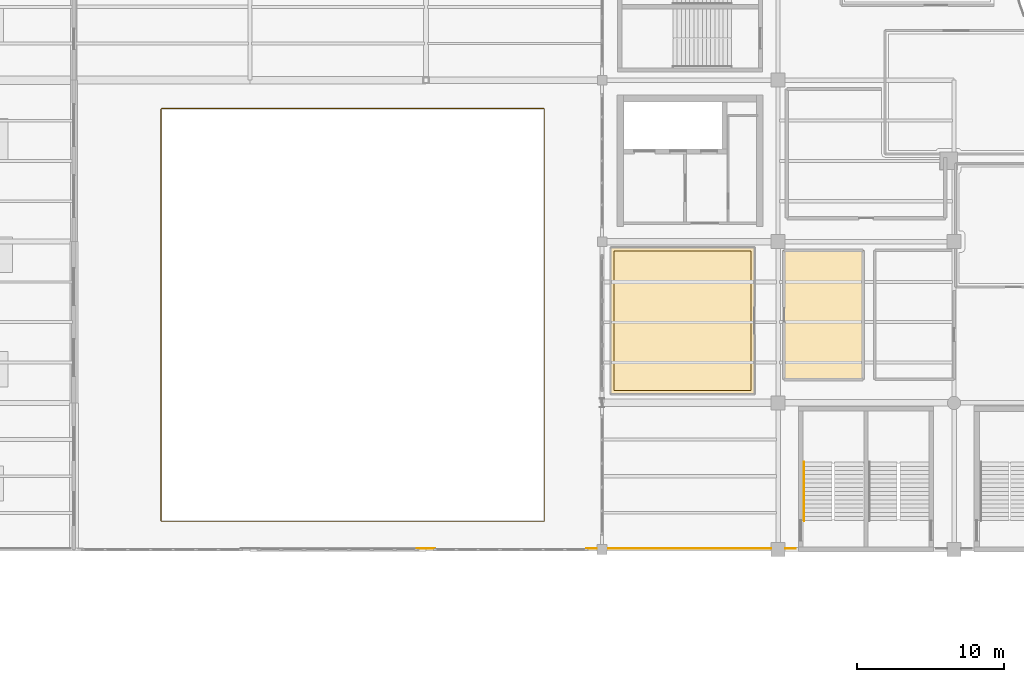
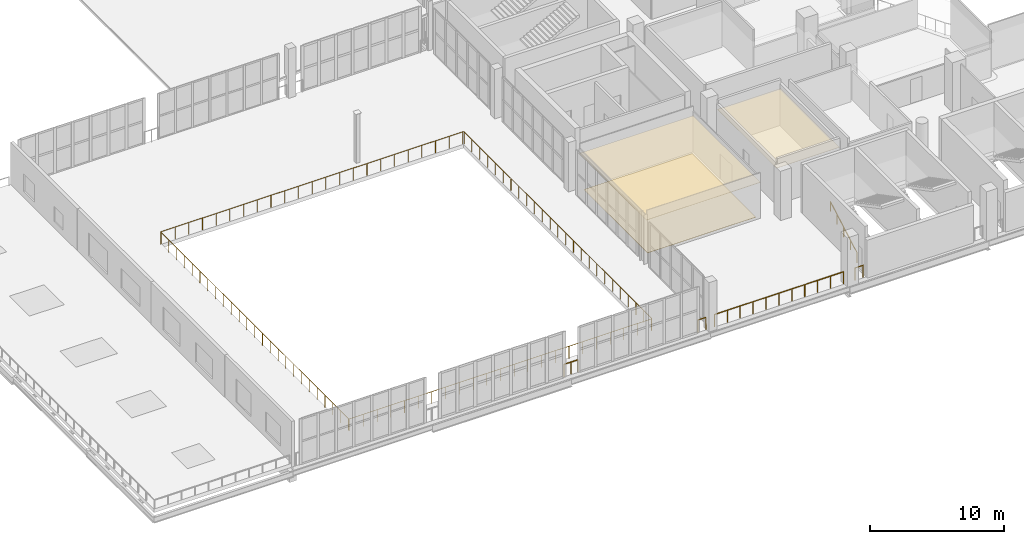
# One storey, part 75 of 90: 6 railings, 3 coverings.
"""IFC4 building model written with IfcOpenShell, lengths in metres."""

from ifc_helpers import new_model, si_unit, direction, frame, origin, origin_2d, place, context, subcontext, project, spatial, polyline, circle, outline, extrude, material, layer, layer_set, type_object, element, save


model = new_model("IFC4")

# Units and contexts
model_context = context("Model", 3, precision=1e-05, world=origin(), true_north=direction((0.0, 1.0)))
body_context = subcontext(model_context, "Body", "Model", "MODEL_VIEW")
ifc_project = project(units=[si_unit("LENGTHUNIT", "METRE"), si_unit("AREAUNIT", "SQUARE_METRE"), si_unit("VOLUMEUNIT", "CUBIC_METRE"), si_unit("PLANEANGLEUNIT", "RADIAN"), si_unit("MASSUNIT", "GRAM", prefix="KILO")], contexts=[model_context])

# Site, building, storey
site_placement = place(None, origin())
site = spatial("IfcSite", under=ifc_project, at=site_placement, CompositionType="ELEMENT")
building_placement = place(site_placement, origin())
building = spatial("IfcBuilding", under=site, at=building_placement, Name="Brinegate Civic Arena", CompositionType="ELEMENT")
storey_placement = place(building_placement, frame((0.0, 0.0, 14.699951171875)))
storey = spatial("IfcBuildingStorey", under=building, at=storey_placement, Name="L03", CompositionType="ELEMENT", Elevation=14.699951171875)

# Coverings
ifc_material_1 = material(Name="Acoustic perforated aluminium ceiling", Category="aluminium")
ifc_layer_1 = layer(ifc_material_1, 0.02490234375, Name="Acoustic perforated aluminium ceiling")
ifc_layer_set_1 = layer_set([ifc_layer_1], Name="Acoustic perforated aluminium ceiling")
covering_type_1 = type_object("IfcCoveringType", Name="CEILING-ACOUSTIC-25", PredefinedType="CEILING", material=ifc_layer_set_1)
covering_1_placement = place(storey_placement, frame((0.0, 0.0, 3.235107421875)))
element("IfcCovering", 1, at=covering_1_placement, inside=storey, type_object=covering_type_1, Name="Acoustic Ceiling L03-002", PredefinedType="CEILING", context=body_context, shape_type="SweptSolid", body=[
    extrude(outline(polyline([(58.404052734375, 30.6201171875), (58.406005859375, 30.618896484375), (58.407958984375, 30.617919921875), (58.408935546875, 30.617919921875), (58.410888671875, 30.616943359375), (58.4130859375, 30.614990234375), (58.4140625, 30.614013671875), (58.4150390625, 30.613037109375), (58.4169921875, 30.611083984375), (58.41796875, 30.60888671875), (58.41796875, 30.60791015625), (58.4189453125, 30.60595703125), (58.419921875, 30.60400390625), (58.419921875, 30.60205078125), (58.419921875, 30.60009765625), (58.419921875, 20.60009765625), (58.419921875, 20.597900390625), (58.419921875, 20.595947265625), (58.4189453125, 20.593994140625), (58.41796875, 20.592041015625), (58.41796875, 20.591064453125), (58.4169921875, 20.589111328125), (58.4150390625, 20.5869140625), (58.4140625, 20.5859375), (58.4130859375, 20.5849609375), (58.410888671875, 20.5830078125), (58.408935546875, 20.58203125), (58.407958984375, 20.58203125), (58.406005859375, 20.5810546875), (58.404052734375, 20.580078125), (58.402099609375, 20.580078125), (58.39990234375, 20.580078125), (48.60009765625, 20.580078125), (48.597900390625, 20.580078125), (48.595947265625, 20.580078125), (48.593994140625, 20.5810546875), (48.592041015625, 20.58203125), (48.591064453125, 20.58203125), (48.589111328125, 20.5830078125), (48.5869140625, 20.5849609375), (48.5859375, 20.5859375), (48.5849609375, 20.5869140625), (48.5830078125, 20.589111328125), (48.58203125, 20.591064453125), (48.58203125, 20.592041015625), (48.5810546875, 20.593994140625), (48.580078125, 20.595947265625), (48.580078125, 20.597900390625), (48.580078125, 20.60009765625), (48.580078125, 30.60009765625), (48.580078125, 30.60205078125), (48.580078125, 30.60400390625), (48.5810546875, 30.60595703125), (48.58203125, 30.60791015625), (48.58203125, 30.60888671875), (48.5830078125, 30.611083984375), (48.5849609375, 30.613037109375), (48.5859375, 30.614013671875), (48.5869140625, 30.614990234375), (48.589111328125, 30.616943359375), (48.591064453125, 30.617919921875), (48.592041015625, 30.617919921875), (48.593994140625, 30.618896484375), (48.595947265625, 30.6201171875), (48.597900390625, 30.6201171875), (48.60009765625, 30.6201171875), (58.39990234375, 30.6201171875), (58.402099609375, 30.6201171875), (58.404052734375, 30.6201171875)])), origin(), (0.0, 0.0, 1.0), 0.02490234375),
])
ifc_layer_2 = layer(ifc_material_1, 0.01806640625, Name="Acoustic perforated aluminium ceiling")
ifc_layer_set_2 = layer_set([ifc_layer_2], Name="Acoustic perforated aluminium ceiling")
covering_type_2 = type_object("IfcCoveringType", Name="CEILING-MOISTURE-18", PredefinedType="CEILING", material=ifc_layer_set_2)
covering_2_placement = place(storey_placement, frame((0.0, 0.0, 3.241943359375)))
element("IfcCovering", 2, at=covering_2_placement, inside=storey, type_object=covering_type_2, Name="Acoustic Ceiling L03-005", PredefinedType="CEILING", context=body_context, shape_type="SweptSolid", body=[
    extrude(outline(polyline([(65.803955078125, 30.419921875), (65.805908203125, 30.4189453125), (65.80810546875, 30.41796875), (65.80908203125, 30.41796875), (65.81103515625, 30.4169921875), (65.81298828125, 30.4150390625), (65.81396484375, 30.4140625), (65.81494140625, 30.4130859375), (65.81689453125, 30.410888671875), (65.818115234375, 30.408935546875), (65.818115234375, 30.407958984375), (65.819091796875, 30.406005859375), (65.820068359375, 30.404052734375), (65.820068359375, 30.402099609375), (65.820068359375, 30.39990234375), (65.820068359375, 21.60009765625), (65.820068359375, 21.597900390625), (65.820068359375, 21.595947265625), (65.819091796875, 21.593994140625), (65.818115234375, 21.592041015625), (65.818115234375, 21.591064453125), (65.81689453125, 21.589111328125), (65.81494140625, 21.5869140625), (65.81396484375, 21.5859375), (65.81298828125, 21.5849609375), (65.81103515625, 21.5830078125), (65.80908203125, 21.58203125), (65.80810546875, 21.58203125), (65.805908203125, 21.5810546875), (65.803955078125, 21.580078125), (65.802001953125, 21.580078125), (65.800048828125, 21.580078125), (60.39990234375, 21.580078125), (60.39794921875, 21.580078125), (60.39599609375, 21.580078125), (60.39404296875, 21.5810546875), (60.39208984375, 21.58203125), (60.39111328125, 21.58203125), (60.388916015625, 21.5830078125), (60.386962890625, 21.5849609375), (60.385986328125, 21.5859375), (60.385009765625, 21.5869140625), (60.383056640625, 21.589111328125), (60.382080078125, 21.591064453125), (60.382080078125, 21.592041015625), (60.381103515625, 21.593994140625), (60.3798828125, 21.595947265625), (60.3798828125, 21.597900390625), (60.3798828125, 21.60009765625), (60.3798828125, 30.39990234375), (60.3798828125, 30.402099609375), (60.3798828125, 30.404052734375), (60.381103515625, 30.406005859375), (60.382080078125, 30.407958984375), (60.382080078125, 30.408935546875), (60.383056640625, 30.410888671875), (60.385009765625, 30.4130859375), (60.385986328125, 30.4140625), (60.386962890625, 30.4150390625), (60.388916015625, 30.4169921875), (60.39111328125, 30.41796875), (60.39208984375, 30.41796875), (60.39404296875, 30.4189453125), (60.39599609375, 30.419921875), (60.39794921875, 30.419921875), (60.39990234375, 30.419921875), (65.800048828125, 30.419921875), (65.802001953125, 30.419921875), (65.803955078125, 30.419921875)])), origin(), (0.0, 0.0, 1.0), 0.01806640625),
])
ifc_material_2 = material(Name="Polished coral terrazzo flooring")
ifc_layer_3 = layer(ifc_material_2, 0.028076171875, Name="Polished coral terrazzo flooring")
ifc_layer_set_3 = layer_set([ifc_layer_3], Name="Polished coral terrazzo flooring")
covering_type_3 = type_object("IfcCoveringType", Name="FLOORING-TERRAZZO-28", PredefinedType="FLOORING", material=ifc_layer_set_3)
covering_3_placement = place(storey_placement, origin())
element("IfcCovering", 3, at=covering_3_placement, inside=storey, type_object=covering_type_3, Name="Flooring L03-002", PredefinedType="FLOORING", context=body_context, shape_type="SweptSolid", body=[
    extrude(outline(polyline([(48.830078125, 20.830078125), (48.830078125, 30.3701171875), (58.169921875, 30.3701171875), (58.169921875, 20.830078125), (48.830078125, 20.830078125)])), origin(), (0.0, 0.0, 1.0), 0.028076171875),
])

# Railings
ifc_material_3 = material(Name="Architectural stainless steel balustrade", Category="steel")
railing_type_1 = type_object("IfcRailingType", Name="RAIL-STAIR-HANDRAIL-900", PredefinedType="HANDRAIL", material=ifc_material_3)
railing_1_placement = place(storey_placement, frame((61.77490234375, 11.969970703125, 0.0)))
element("IfcRailing", 4, at=railing_1_placement, inside=storey, type_object=railing_type_1, Name="Stair Pitch Handrail ST-02A L03", PredefinedType="HANDRAIL", context=body_context, shape_type="SweptSolid", body=[
    extrude(circle(Radius=0.02392578125, at=origin_2d()), frame((0.0, 0.001220703125, 0.876708984375), z_axis=(0.0, 0.871049806155, 0.491194701923), x_axis=(-1.0, 0.0, 0.0)), (0.0, 0.0, 1.0), 4.57763671875),
    extrude(circle(Radius=0.02099609375, at=origin_2d()), origin(), (0.0, 0.0, 1.0), 0.849853515625),
    extrude(circle(Radius=0.02099609375, at=origin_2d()), frame((0.0, 0.99755859375, 0.5625)), (0.0, 0.0, 1.0), 0.849853515625),
    extrude(circle(Radius=0.02099609375, at=origin_2d()), frame((0.0, 1.9951171875, 1.125)), (0.0, 0.0, 1.0), 0.849853515625),
    extrude(circle(Radius=0.02099609375, at=origin_2d()), frame((0.0, 2.992431640625, 1.6875)), (0.0, 0.0, 1.0), 0.849853515625),
    extrude(circle(Radius=0.02099609375, at=origin_2d()), frame((0.0, 3.989990234375, 2.25)), (0.0, 0.0, 1.0), 0.849853515625),
])
railing_type_2 = type_object("IfcRailingType", Name="RAIL-VOID-BALUSTRADE-1120", PredefinedType="BALUSTRADE", material=ifc_material_3)
railing_2_placement = place(storey_placement, frame((61.199951171875, 10.070068359375, 0.0)))
element("IfcRailing", 5, at=railing_2_placement, inside=storey, type_object=railing_type_2, Name="Deck Edge Balustrade L03-294", PredefinedType="BALUSTRADE", context=body_context, shape_type="SweptSolid", body=[
    extrude(circle(Radius=0.02392578125, at=origin_2d()), frame((-0.00146484375, 0.0, 1.09619140625), z_axis=(-1.0, 0.0, 0.0), x_axis=(0.0, -1.0, 0.0)), (0.0, 0.0, 1.0), 0.701904296875),
    extrude(circle(Radius=0.02099609375, at=origin_2d()), origin(), (0.0, 0.0, 1.0), 1.070068359375),
    extrude(circle(Radius=0.02099609375, at=origin_2d()), frame((-0.704833984375, 0.0, 0.0)), (0.0, 0.0, 1.0), 1.070068359375),
])
railing_3_placement = place(storey_placement, frame((59.5048828125, 10.070068359375, 0.0)))
element("IfcRailing", 6, at=railing_3_placement, inside=storey, type_object=railing_type_2, Name="Deck Edge Balustrade L03-295", PredefinedType="BALUSTRADE", context=body_context, shape_type="SweptSolid", body=[
    extrude(circle(Radius=0.02392578125, at=origin_2d()), frame((-0.00146484375, 0.0, 1.09619140625), z_axis=(-1.0, 0.0, 0.0), x_axis=(0.0, -1.0, 0.0)), (0.0, 0.0, 1.0), 11.1318359375),
    extrude(circle(Radius=0.02099609375, at=origin_2d()), origin(), (0.0, 0.0, 1.0), 1.070068359375),
    extrude(circle(Radius=0.02099609375, at=origin_2d()), frame((-1.113525390625, 0.0, 0.0)), (0.0, 0.0, 1.0), 1.070068359375),
    extrude(circle(Radius=0.02099609375, at=origin_2d()), frame((-2.22705078125, 0.0, 0.0)), (0.0, 0.0, 1.0), 1.070068359375),
    extrude(circle(Radius=0.02099609375, at=origin_2d()), frame((-3.34033203125, 0.0, 0.0)), (0.0, 0.0, 1.0), 1.070068359375),
    extrude(circle(Radius=0.02099609375, at=origin_2d()), frame((-4.453857421875, 0.0, 0.0)), (0.0, 0.0, 1.0), 1.070068359375),
    extrude(circle(Radius=0.02099609375, at=origin_2d()), frame((-5.5673828125, 0.0, 0.0)), (0.0, 0.0, 1.0), 1.070068359375),
    extrude(circle(Radius=0.02099609375, at=origin_2d()), frame((-6.680908203125, 0.0, 0.0)), (0.0, 0.0, 1.0), 1.070068359375),
    extrude(circle(Radius=0.02099609375, at=origin_2d()), frame((-7.79443359375, 0.0, 0.0)), (0.0, 0.0, 1.0), 1.070068359375),
    extrude(circle(Radius=0.02099609375, at=origin_2d()), frame((-8.90771484375, 0.0, 0.0)), (0.0, 0.0, 1.0), 1.070068359375),
    extrude(circle(Radius=0.02099609375, at=origin_2d()), frame((-10.021240234375, 0.0, 0.0)), (0.0, 0.0, 1.0), 1.070068359375),
    extrude(circle(Radius=0.02099609375, at=origin_2d()), frame((-11.134765625, 0.0, 0.0)), (0.0, 0.0, 1.0), 1.070068359375),
])
railing_4_placement = place(storey_placement, frame((47.6298828125, 10.070068359375, 0.0)))
element("IfcRailing", 7, at=railing_4_placement, inside=storey, type_object=railing_type_2, Name="Deck Edge Balustrade L03-296", PredefinedType="BALUSTRADE", context=body_context, shape_type="SweptSolid", body=[
    extrude(circle(Radius=0.02392578125, at=origin_2d()), frame((-0.00146484375, 0.0, 1.09619140625), z_axis=(-1.0, 0.0, 0.0), x_axis=(0.0, -1.0, 0.0)), (0.0, 0.0, 1.0), 0.671875),
    extrude(circle(Radius=0.02099609375, at=origin_2d()), origin(), (0.0, 0.0, 1.0), 1.070068359375),
    extrude(circle(Radius=0.02099609375, at=origin_2d()), frame((-0.6748046875, 0.0, 0.0)), (0.0, 0.0, 1.0), 1.070068359375),
])
railing_5_placement = place(storey_placement, frame((36.60009765625, 10.070068359375, 0.0)))
element("IfcRailing", 8, at=railing_5_placement, inside=storey, type_object=railing_type_2, Name="Deck Edge Balustrade L03-297", PredefinedType="BALUSTRADE", context=body_context, shape_type="SweptSolid", body=[
    extrude(circle(Radius=0.02392578125, at=origin_2d()), frame((-0.00146484375, 0.0, 1.09619140625), z_axis=(-1.0, 0.0, 0.0), x_axis=(0.0, -1.0, 0.0)), (0.0, 0.0, 1.0), 1.197265625),
    extrude(circle(Radius=0.02099609375, at=origin_2d()), origin(), (0.0, 0.0, 1.0), 1.070068359375),
    extrude(circle(Radius=0.02099609375, at=origin_2d()), frame((-0.60009765625, 0.0, 0.0)), (0.0, 0.0, 1.0), 1.070068359375),
    extrude(circle(Radius=0.02099609375, at=origin_2d()), frame((-1.2001953125, 0.0, 0.0)), (0.0, 0.0, 1.0), 1.070068359375),
])
railing_6_placement = place(storey_placement, frame((18.0, 40.070068359375, 0.0)))
element("IfcRailing", 9, at=railing_6_placement, inside=storey, type_object=railing_type_2, Name="Deck Edge Balustrade L03-329", PredefinedType="BALUSTRADE", context=body_context, shape_type="SweptSolid", body=[
    extrude(circle(Radius=0.02392578125, at=origin_2d()), frame((-0.00146484375, -0.000244140625, 1.09619140625), z_axis=(-0.98766511198, -0.156581054338, 0.0), x_axis=(0.156581054338, -0.98766511198, 0.0)), (0.0, 0.0, 1.0), 0.017333984375),
    extrude(circle(Radius=0.02392578125, at=origin_2d()), frame((-0.021484375, -0.00390625, 1.09619140625), z_axis=(-0.9079593845, -0.419058177462, 0.0), x_axis=(0.419058177462, -0.9079593845, 0.0)), (0.0, 0.0, 1.0), 0.01806640625),
    extrude(circle(Radius=0.02392578125, at=origin_2d()), frame((-0.0400390625, -0.012939453125, 1.09619140625), z_axis=(-0.724702747327, -0.689061628606, 0.0), x_axis=(0.689061628606, -0.724702747327, 0.0)), (0.0, 0.0, 1.0), 0.017578125),
    extrude(circle(Radius=0.02392578125, at=origin_2d()), frame((-0.0546875, -0.02734375, 1.09619140625), z_axis=(-0.546267780547, -0.837610596839, 0.0), x_axis=(0.837610596839, -0.546267780547, 0.0)), (0.0, 0.0, 1.0), 0.01708984375),
    extrude(circle(Radius=0.02392578125, at=origin_2d()), frame((-0.0654296875, -0.04443359375, 1.09619140625), z_axis=(-0.248091107232, -0.968736704431, 0.0), x_axis=(0.968736704431, -0.248091107232, 0.0)), (0.0, 0.0, 1.0), 0.017578125),
    extrude(circle(Radius=0.02392578125, at=origin_2d()), frame((-0.070068359375, -0.064453125, 1.09619140625), z_axis=(0.0, -1.0, 0.0), x_axis=(1.0, 0.0, 0.0)), (0.0, 0.0, 1.0), 28.004150390625),
    extrude(circle(Radius=0.02392578125, at=origin_2d()), frame((-0.06982421875, -28.071533203125, 1.09619140625), z_axis=(0.156581054338, -0.98766511198, 0.0), x_axis=(0.98766511198, 0.156581054338, 0.0)), (0.0, 0.0, 1.0), 0.017333984375),
    extrude(circle(Radius=0.02392578125, at=origin_2d()), frame((-0.066162109375, -28.091552734375, 1.09619140625), z_axis=(0.419058177462, -0.9079593845, 0.0), x_axis=(0.9079593845, 0.419058177462, 0.0)), (0.0, 0.0, 1.0), 0.01806640625),
    extrude(circle(Radius=0.02392578125, at=origin_2d()), frame((-0.05712890625, -28.110107421875, 1.09619140625), z_axis=(0.689061628606, -0.724702747327, 0.0), x_axis=(0.724702747327, 0.689061628606, 0.0)), (0.0, 0.0, 1.0), 0.017578125),
    extrude(circle(Radius=0.02392578125, at=origin_2d()), frame((-0.042724609375, -28.124755859375, 1.09619140625), z_axis=(0.837610596839, -0.546267780547, 0.0), x_axis=(0.546267780547, 0.837610596839, 0.0)), (0.0, 0.0, 1.0), 0.01708984375),
    extrude(circle(Radius=0.02392578125, at=origin_2d()), frame((-0.025634765625, -28.135498046875, 1.09619140625), z_axis=(0.968736704431, -0.248091107232, 0.0), x_axis=(0.248091107232, 0.968736704431, 0.0)), (0.0, 0.0, 1.0), 0.017578125),
    extrude(circle(Radius=0.02392578125, at=origin_2d()), frame((-0.005615234375, -28.14013671875, 1.09619140625), z_axis=(1.0, 0.0, 0.0), x_axis=(0.0, 1.0, 0.0)), (0.0, 0.0, 1.0), 26.004150390625),
    extrude(circle(Radius=0.02392578125, at=origin_2d()), frame((26.00146484375, -28.139892578125, 1.09619140625), z_axis=(0.98766511198, 0.156581054338, 0.0), x_axis=(-0.156581054338, 0.98766511198, 0.0)), (0.0, 0.0, 1.0), 0.017333984375),
    extrude(circle(Radius=0.02392578125, at=origin_2d()), frame((26.021484375, -28.13623046875, 1.09619140625), z_axis=(0.9079593845, 0.419058177462, 0.0), x_axis=(-0.419058177462, 0.9079593845, 0.0)), (0.0, 0.0, 1.0), 0.01806640625),
    extrude(circle(Radius=0.02392578125, at=origin_2d()), frame((26.0400390625, -28.127197265625, 1.09619140625), z_axis=(0.724702747327, 0.689061628606, 0.0), x_axis=(-0.689061628606, 0.724702747327, 0.0)), (0.0, 0.0, 1.0), 0.017578125),
    extrude(circle(Radius=0.02392578125, at=origin_2d()), frame((26.0546875, -28.11279296875, 1.09619140625), z_axis=(0.546267780547, 0.837610596839, 0.0), x_axis=(-0.837610596839, 0.546267780547, 0.0)), (0.0, 0.0, 1.0), 0.01708984375),
    extrude(circle(Radius=0.02392578125, at=origin_2d()), frame((26.0654296875, -28.095703125, 1.09619140625), z_axis=(0.248091107232, 0.968736704431, 0.0), x_axis=(-0.968736704431, 0.248091107232, 0.0)), (0.0, 0.0, 1.0), 0.017578125),
    extrude(circle(Radius=0.02392578125, at=origin_2d()), frame((26.070068359375, -28.07568359375, 1.09619140625), z_axis=(0.0, 1.0, 0.0), x_axis=(-1.0, 0.0, 0.0)), (0.0, 0.0, 1.0), 28.004150390625),
    extrude(circle(Radius=0.02392578125, at=origin_2d()), frame((26.06982421875, -0.068603515625, 1.09619140625), z_axis=(-0.156581054338, 0.98766511198, 0.0), x_axis=(-0.98766511198, -0.156581054338, 0.0)), (0.0, 0.0, 1.0), 0.017333984375),
    extrude(circle(Radius=0.02392578125, at=origin_2d()), frame((26.066162109375, -0.048583984375, 1.09619140625), z_axis=(-0.419058177462, 0.9079593845, 0.0), x_axis=(-0.9079593845, -0.419058177462, 0.0)), (0.0, 0.0, 1.0), 0.01806640625),
    extrude(circle(Radius=0.02392578125, at=origin_2d()), frame((26.05712890625, -0.030029296875, 1.09619140625), z_axis=(-0.689061628606, 0.724702747327, 0.0), x_axis=(-0.724702747327, -0.689061628606, 0.0)), (0.0, 0.0, 1.0), 0.017578125),
    extrude(circle(Radius=0.02392578125, at=origin_2d()), frame((26.042724609375, -0.015380859375, 1.09619140625), z_axis=(-0.837610596839, 0.546267780547, 0.0), x_axis=(-0.546267780547, -0.837610596839, 0.0)), (0.0, 0.0, 1.0), 0.01708984375),
    extrude(circle(Radius=0.02392578125, at=origin_2d()), frame((26.025634765625, -0.004638671875, 1.09619140625), z_axis=(-0.968736704431, 0.248091107232, 0.0), x_axis=(-0.248091107232, -0.968736704431, 0.0)), (0.0, 0.0, 1.0), 0.017578125),
    extrude(circle(Radius=0.02392578125, at=origin_2d()), frame((26.005615234375, 0.0, 1.09619140625), z_axis=(-1.0, 0.0, 0.0), x_axis=(0.0, -1.0, 0.0)), (0.0, 0.0, 1.0), 26.004150390625),
    extrude(circle(Radius=0.02099609375, at=origin_2d()), origin(), (0.0, 0.0, 1.0), 1.070068359375),
    extrude(circle(Radius=0.02099609375, at=origin_2d()), frame((-0.070068359375, -0.06298828125, 0.0)), (0.0, 0.0, 1.0), 1.070068359375),
    extrude(circle(Radius=0.02099609375, at=origin_2d()), frame((-0.070068359375, -1.22998046875, 0.0)), (0.0, 0.0, 1.0), 1.070068359375),
    extrude(circle(Radius=0.02099609375, at=origin_2d()), frame((-0.070068359375, -2.39697265625, 0.0)), (0.0, 0.0, 1.0), 1.070068359375),
    extrude(circle(Radius=0.02099609375, at=origin_2d()), frame((-0.070068359375, -3.56396484375, 0.0)), (0.0, 0.0, 1.0), 1.070068359375),
    extrude(circle(Radius=0.02099609375, at=origin_2d()), frame((-0.070068359375, -4.73095703125, 0.0)), (0.0, 0.0, 1.0), 1.070068359375),
    extrude(circle(Radius=0.02099609375, at=origin_2d()), frame((-0.070068359375, -5.897705078125, 0.0)), (0.0, 0.0, 1.0), 1.070068359375),
    extrude(circle(Radius=0.02099609375, at=origin_2d()), frame((-0.070068359375, -7.064697265625, 0.0)), (0.0, 0.0, 1.0), 1.070068359375),
    extrude(circle(Radius=0.02099609375, at=origin_2d()), frame((-0.070068359375, -8.231689453125, 0.0)), (0.0, 0.0, 1.0), 1.070068359375),
    extrude(circle(Radius=0.02099609375, at=origin_2d()), frame((-0.070068359375, -9.398681640625, 0.0)), (0.0, 0.0, 1.0), 1.070068359375),
    extrude(circle(Radius=0.02099609375, at=origin_2d()), frame((-0.070068359375, -10.565673828125, 0.0)), (0.0, 0.0, 1.0), 1.070068359375),
    extrude(circle(Radius=0.02099609375, at=origin_2d()), frame((-0.070068359375, -11.732666015625, 0.0)), (0.0, 0.0, 1.0), 1.070068359375),
    extrude(circle(Radius=0.02099609375, at=origin_2d()), frame((-0.070068359375, -12.899658203125, 0.0)), (0.0, 0.0, 1.0), 1.070068359375),
    extrude(circle(Radius=0.02099609375, at=origin_2d()), frame((-0.070068359375, -14.06640625, 0.0)), (0.0, 0.0, 1.0), 1.070068359375),
    extrude(circle(Radius=0.02099609375, at=origin_2d()), frame((-0.070068359375, -15.2333984375, 0.0)), (0.0, 0.0, 1.0), 1.070068359375),
    extrude(circle(Radius=0.02099609375, at=origin_2d()), frame((-0.070068359375, -16.400390625, 0.0)), (0.0, 0.0, 1.0), 1.070068359375),
    extrude(circle(Radius=0.02099609375, at=origin_2d()), frame((-0.070068359375, -17.5673828125, 0.0)), (0.0, 0.0, 1.0), 1.070068359375),
    extrude(circle(Radius=0.02099609375, at=origin_2d()), frame((-0.070068359375, -18.734375, 0.0)), (0.0, 0.0, 1.0), 1.070068359375),
    extrude(circle(Radius=0.02099609375, at=origin_2d()), frame((-0.070068359375, -19.9013671875, 0.0)), (0.0, 0.0, 1.0), 1.070068359375),
    extrude(circle(Radius=0.02099609375, at=origin_2d()), frame((-0.070068359375, -21.068359375, 0.0)), (0.0, 0.0, 1.0), 1.070068359375),
    extrude(circle(Radius=0.02099609375, at=origin_2d()), frame((-0.070068359375, -22.2353515625, 0.0)), (0.0, 0.0, 1.0), 1.070068359375),
    extrude(circle(Radius=0.02099609375, at=origin_2d()), frame((-0.070068359375, -23.40234375, 0.0)), (0.0, 0.0, 1.0), 1.070068359375),
    extrude(circle(Radius=0.02099609375, at=origin_2d()), frame((-0.070068359375, -24.569091796875, 0.0)), (0.0, 0.0, 1.0), 1.070068359375),
    extrude(circle(Radius=0.02099609375, at=origin_2d()), frame((-0.070068359375, -25.736083984375, 0.0)), (0.0, 0.0, 1.0), 1.070068359375),
    extrude(circle(Radius=0.02099609375, at=origin_2d()), frame((-0.070068359375, -26.903076171875, 0.0)), (0.0, 0.0, 1.0), 1.070068359375),
    extrude(circle(Radius=0.02099609375, at=origin_2d()), frame((-0.070068359375, -28.070068359375, 0.0)), (0.0, 0.0, 1.0), 1.070068359375),
    extrude(circle(Radius=0.02099609375, at=origin_2d()), frame((-0.007080078125, -28.14013671875, 0.0)), (0.0, 0.0, 1.0), 1.070068359375),
    extrude(circle(Radius=0.02099609375, at=origin_2d()), frame((1.175048828125, -28.14013671875, 0.0)), (0.0, 0.0, 1.0), 1.070068359375),
    extrude(circle(Radius=0.02099609375, at=origin_2d()), frame((2.357177734375, -28.14013671875, 0.0)), (0.0, 0.0, 1.0), 1.070068359375),
    extrude(circle(Radius=0.02099609375, at=origin_2d()), frame((3.539306640625, -28.14013671875, 0.0)), (0.0, 0.0, 1.0), 1.070068359375),
    extrude(circle(Radius=0.02099609375, at=origin_2d()), frame((4.721435546875, -28.14013671875, 0.0)), (0.0, 0.0, 1.0), 1.070068359375),
    extrude(circle(Radius=0.02099609375, at=origin_2d()), frame((5.903564453125, -28.14013671875, 0.0)), (0.0, 0.0, 1.0), 1.070068359375),
    extrude(circle(Radius=0.02099609375, at=origin_2d()), frame((7.085693359375, -28.14013671875, 0.0)), (0.0, 0.0, 1.0), 1.070068359375),
    extrude(circle(Radius=0.02099609375, at=origin_2d()), frame((8.267822265625, -28.14013671875, 0.0)), (0.0, 0.0, 1.0), 1.070068359375),
    extrude(circle(Radius=0.02099609375, at=origin_2d()), frame((9.449951171875, -28.14013671875, 0.0)), (0.0, 0.0, 1.0), 1.070068359375),
    extrude(circle(Radius=0.02099609375, at=origin_2d()), frame((10.632080078125, -28.14013671875, 0.0)), (0.0, 0.0, 1.0), 1.070068359375),
    extrude(circle(Radius=0.02099609375, at=origin_2d()), frame((11.814208984375, -28.14013671875, 0.0)), (0.0, 0.0, 1.0), 1.070068359375),
    extrude(circle(Radius=0.02099609375, at=origin_2d()), frame((12.99658203125, -28.14013671875, 0.0)), (0.0, 0.0, 1.0), 1.070068359375),
    extrude(circle(Radius=0.02099609375, at=origin_2d()), frame((14.1787109375, -28.14013671875, 0.0)), (0.0, 0.0, 1.0), 1.070068359375),
    extrude(circle(Radius=0.02099609375, at=origin_2d()), frame((15.36083984375, -28.14013671875, 0.0)), (0.0, 0.0, 1.0), 1.070068359375),
    extrude(circle(Radius=0.02099609375, at=origin_2d()), frame((16.54296875, -28.14013671875, 0.0)), (0.0, 0.0, 1.0), 1.070068359375),
    extrude(circle(Radius=0.02099609375, at=origin_2d()), frame((17.72509765625, -28.14013671875, 0.0)), (0.0, 0.0, 1.0), 1.070068359375),
    extrude(circle(Radius=0.02099609375, at=origin_2d()), frame((18.9072265625, -28.14013671875, 0.0)), (0.0, 0.0, 1.0), 1.070068359375),
    extrude(circle(Radius=0.02099609375, at=origin_2d()), frame((20.08935546875, -28.14013671875, 0.0)), (0.0, 0.0, 1.0), 1.070068359375),
    extrude(circle(Radius=0.02099609375, at=origin_2d()), frame((21.271484375, -28.14013671875, 0.0)), (0.0, 0.0, 1.0), 1.070068359375),
    extrude(circle(Radius=0.02099609375, at=origin_2d()), frame((22.45361328125, -28.14013671875, 0.0)), (0.0, 0.0, 1.0), 1.070068359375),
    extrude(circle(Radius=0.02099609375, at=origin_2d()), frame((23.6357421875, -28.14013671875, 0.0)), (0.0, 0.0, 1.0), 1.070068359375),
    extrude(circle(Radius=0.02099609375, at=origin_2d()), frame((24.81787109375, -28.14013671875, 0.0)), (0.0, 0.0, 1.0), 1.070068359375),
    extrude(circle(Radius=0.02099609375, at=origin_2d()), frame((26.0, -28.14013671875, 0.0)), (0.0, 0.0, 1.0), 1.070068359375),
    extrude(circle(Radius=0.02099609375, at=origin_2d()), frame((26.070068359375, -28.0771484375, 0.0)), (0.0, 0.0, 1.0), 1.070068359375),
    extrude(circle(Radius=0.02099609375, at=origin_2d()), frame((26.070068359375, -26.91015625, 0.0)), (0.0, 0.0, 1.0), 1.070068359375),
    extrude(circle(Radius=0.02099609375, at=origin_2d()), frame((26.070068359375, -25.7431640625, 0.0)), (0.0, 0.0, 1.0), 1.070068359375),
    extrude(circle(Radius=0.02099609375, at=origin_2d()), frame((26.070068359375, -24.576171875, 0.0)), (0.0, 0.0, 1.0), 1.070068359375),
    extrude(circle(Radius=0.02099609375, at=origin_2d()), frame((26.070068359375, -23.4091796875, 0.0)), (0.0, 0.0, 1.0), 1.070068359375),
    extrude(circle(Radius=0.02099609375, at=origin_2d()), frame((26.070068359375, -22.242431640625, 0.0)), (0.0, 0.0, 1.0), 1.070068359375),
    extrude(circle(Radius=0.02099609375, at=origin_2d()), frame((26.070068359375, -21.075439453125, 0.0)), (0.0, 0.0, 1.0), 1.070068359375),
    extrude(circle(Radius=0.02099609375, at=origin_2d()), frame((26.070068359375, -19.908447265625, 0.0)), (0.0, 0.0, 1.0), 1.070068359375),
    extrude(circle(Radius=0.02099609375, at=origin_2d()), frame((26.070068359375, -18.741455078125, 0.0)), (0.0, 0.0, 1.0), 1.070068359375),
    extrude(circle(Radius=0.02099609375, at=origin_2d()), frame((26.070068359375, -17.574462890625, 0.0)), (0.0, 0.0, 1.0), 1.070068359375),
    extrude(circle(Radius=0.02099609375, at=origin_2d()), frame((26.070068359375, -16.407470703125, 0.0)), (0.0, 0.0, 1.0), 1.070068359375),
    extrude(circle(Radius=0.02099609375, at=origin_2d()), frame((26.070068359375, -15.240478515625, 0.0)), (0.0, 0.0, 1.0), 1.070068359375),
    extrude(circle(Radius=0.02099609375, at=origin_2d()), frame((26.070068359375, -14.07373046875, 0.0)), (0.0, 0.0, 1.0), 1.070068359375),
    extrude(circle(Radius=0.02099609375, at=origin_2d()), frame((26.070068359375, -12.90673828125, 0.0)), (0.0, 0.0, 1.0), 1.070068359375),
    extrude(circle(Radius=0.02099609375, at=origin_2d()), frame((26.070068359375, -11.73974609375, 0.0)), (0.0, 0.0, 1.0), 1.070068359375),
    extrude(circle(Radius=0.02099609375, at=origin_2d()), frame((26.070068359375, -10.57275390625, 0.0)), (0.0, 0.0, 1.0), 1.070068359375),
    extrude(circle(Radius=0.02099609375, at=origin_2d()), frame((26.070068359375, -9.40576171875, 0.0)), (0.0, 0.0, 1.0), 1.070068359375),
    extrude(circle(Radius=0.02099609375, at=origin_2d()), frame((26.070068359375, -8.23876953125, 0.0)), (0.0, 0.0, 1.0), 1.070068359375),
    extrude(circle(Radius=0.02099609375, at=origin_2d()), frame((26.070068359375, -7.07177734375, 0.0)), (0.0, 0.0, 1.0), 1.070068359375),
    extrude(circle(Radius=0.02099609375, at=origin_2d()), frame((26.070068359375, -5.90478515625, 0.0)), (0.0, 0.0, 1.0), 1.070068359375),
    extrude(circle(Radius=0.02099609375, at=origin_2d()), frame((26.070068359375, -4.73779296875, 0.0)), (0.0, 0.0, 1.0), 1.070068359375),
    extrude(circle(Radius=0.02099609375, at=origin_2d()), frame((26.070068359375, -3.571044921875, 0.0)), (0.0, 0.0, 1.0), 1.070068359375),
    extrude(circle(Radius=0.02099609375, at=origin_2d()), frame((26.070068359375, -2.404052734375, 0.0)), (0.0, 0.0, 1.0), 1.070068359375),
    extrude(circle(Radius=0.02099609375, at=origin_2d()), frame((26.070068359375, -1.237060546875, 0.0)), (0.0, 0.0, 1.0), 1.070068359375),
    extrude(circle(Radius=0.02099609375, at=origin_2d()), frame((26.070068359375, -0.070068359375, 0.0)), (0.0, 0.0, 1.0), 1.070068359375),
    extrude(circle(Radius=0.02099609375, at=origin_2d()), frame((26.007080078125, 0.0, 0.0)), (0.0, 0.0, 1.0), 1.070068359375),
    extrude(circle(Radius=0.02099609375, at=origin_2d()), frame((24.824951171875, 0.0, 0.0)), (0.0, 0.0, 1.0), 1.070068359375),
    extrude(circle(Radius=0.02099609375, at=origin_2d()), frame((23.642822265625, 0.0, 0.0)), (0.0, 0.0, 1.0), 1.070068359375),
    extrude(circle(Radius=0.02099609375, at=origin_2d()), frame((22.460693359375, 0.0, 0.0)), (0.0, 0.0, 1.0), 1.070068359375),
    extrude(circle(Radius=0.02099609375, at=origin_2d()), frame((21.278564453125, 0.0, 0.0)), (0.0, 0.0, 1.0), 1.070068359375),
    extrude(circle(Radius=0.02099609375, at=origin_2d()), frame((20.096435546875, 0.0, 0.0)), (0.0, 0.0, 1.0), 1.070068359375),
    extrude(circle(Radius=0.02099609375, at=origin_2d()), frame((18.914306640625, 0.0, 0.0)), (0.0, 0.0, 1.0), 1.070068359375),
    extrude(circle(Radius=0.02099609375, at=origin_2d()), frame((17.732177734375, 0.0, 0.0)), (0.0, 0.0, 1.0), 1.070068359375),
    extrude(circle(Radius=0.02099609375, at=origin_2d()), frame((16.550048828125, 0.0, 0.0)), (0.0, 0.0, 1.0), 1.070068359375),
    extrude(circle(Radius=0.02099609375, at=origin_2d()), frame((15.367919921875, 0.0, 0.0)), (0.0, 0.0, 1.0), 1.070068359375),
    extrude(circle(Radius=0.02099609375, at=origin_2d()), frame((14.185791015625, 0.0, 0.0)), (0.0, 0.0, 1.0), 1.070068359375),
    extrude(circle(Radius=0.02099609375, at=origin_2d()), frame((13.00341796875, 0.0, 0.0)), (0.0, 0.0, 1.0), 1.070068359375),
    extrude(circle(Radius=0.02099609375, at=origin_2d()), frame((11.8212890625, 0.0, 0.0)), (0.0, 0.0, 1.0), 1.070068359375),
    extrude(circle(Radius=0.02099609375, at=origin_2d()), frame((10.63916015625, 0.0, 0.0)), (0.0, 0.0, 1.0), 1.070068359375),
    extrude(circle(Radius=0.02099609375, at=origin_2d()), frame((9.45703125, 0.0, 0.0)), (0.0, 0.0, 1.0), 1.070068359375),
    extrude(circle(Radius=0.02099609375, at=origin_2d()), frame((8.27490234375, 0.0, 0.0)), (0.0, 0.0, 1.0), 1.070068359375),
    extrude(circle(Radius=0.02099609375, at=origin_2d()), frame((7.0927734375, 0.0, 0.0)), (0.0, 0.0, 1.0), 1.070068359375),
    extrude(circle(Radius=0.02099609375, at=origin_2d()), frame((5.91064453125, 0.0, 0.0)), (0.0, 0.0, 1.0), 1.070068359375),
    extrude(circle(Radius=0.02099609375, at=origin_2d()), frame((4.728515625, 0.0, 0.0)), (0.0, 0.0, 1.0), 1.070068359375),
    extrude(circle(Radius=0.02099609375, at=origin_2d()), frame((3.54638671875, 0.0, 0.0)), (0.0, 0.0, 1.0), 1.070068359375),
    extrude(circle(Radius=0.02099609375, at=origin_2d()), frame((2.3642578125, 0.0, 0.0)), (0.0, 0.0, 1.0), 1.070068359375),
    extrude(circle(Radius=0.02099609375, at=origin_2d()), frame((1.18212890625, 0.0, 0.0)), (0.0, 0.0, 1.0), 1.070068359375),
])

save(model, "model.ifc")
